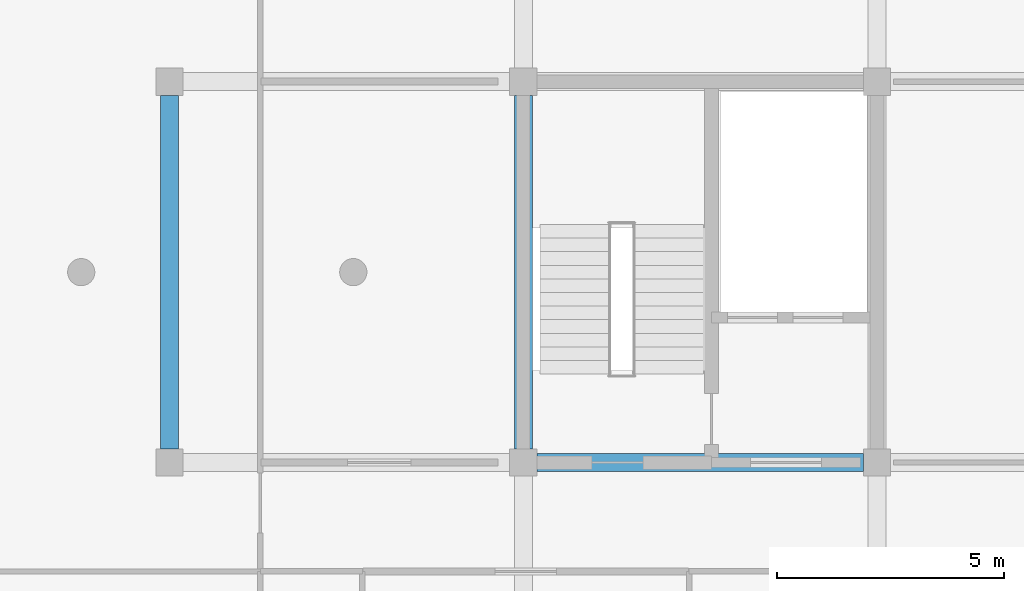
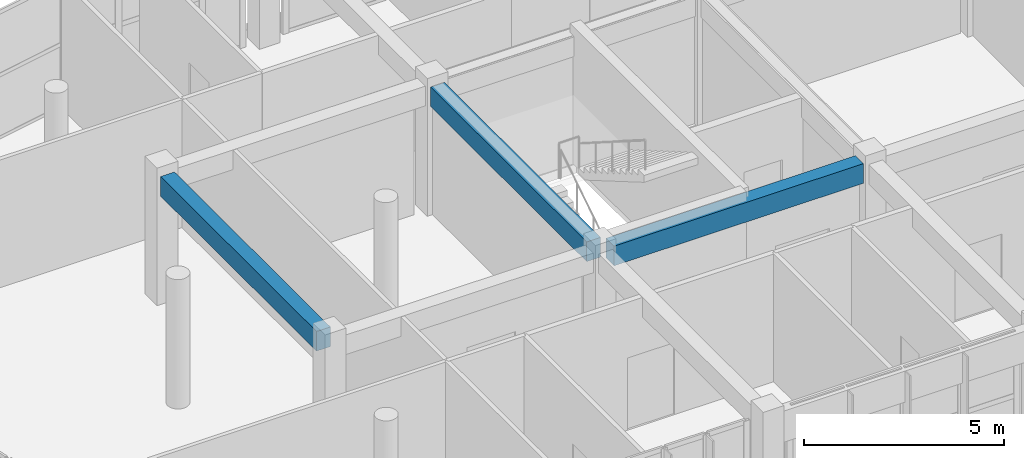
# One storey, part 6 of 50: 3 beams.
"""IFC4 building model written with IfcOpenShell, lengths in metres."""

from ifc_helpers import new_model, si_unit, direction, frame, origin, origin_2d, place, context, subcontext, project, spatial, rectangle, extrude, material, material_profile, profile_set, type_object, element, save


model = new_model("IFC4")

# Units and contexts
model_context = context("Model", 3, precision=1e-05, world=origin(), true_north=direction((0.0, 1.0)))
body_context = subcontext(model_context, "Body", "Model", "MODEL_VIEW")
ifc_project = project(units=[si_unit("LENGTHUNIT", "METRE"), si_unit("AREAUNIT", "SQUARE_METRE"), si_unit("VOLUMEUNIT", "CUBIC_METRE"), si_unit("PLANEANGLEUNIT", "RADIAN"), si_unit("MASSUNIT", "GRAM", prefix="KILO")], contexts=[model_context])

# Site, building, storey
site_placement = place(None, origin())
site = spatial("IfcSite", under=ifc_project, at=site_placement, CompositionType="ELEMENT")
building_placement = place(site_placement, origin())
building = spatial("IfcBuilding", under=site, at=building_placement, Name="Zizhar Promenade General Hospital", CompositionType="ELEMENT")
storey_placement = place(building_placement, frame((0.0, 0.0, 30.60009765625)))
storey = spatial("IfcBuildingStorey", under=building, at=storey_placement, Name="L07", CompositionType="ELEMENT", Elevation=30.60009765625)

# Beams
ifc_material = material(Name="Concrete C35/45", Category="concrete")
ifc_material_profile = material_profile(ifc_material, rectangle(XDim=0.39990234375, YDim=0.60009765625, at=origin_2d()))
ifc_profile_set = profile_set([ifc_material_profile], Name="Concrete C35/45")
beam_type = type_object("IfcBeamType", Name="BM-RC-400x600", PredefinedType="JOIST", material=ifc_profile_set)
beam_1_placement = place(storey_placement, frame((39.0, 8.699951171875, 3.60986328125), z_axis=(0.0, 1.0, 0.0), x_axis=(-1.0, 0.0, 0.0)))
element("IfcBeam", 1, at=beam_1_placement, inside=storey, type_object=beam_type, Name="Grid Beam Y L07 (5-1)", PredefinedType="JOIST", context=body_context, shape_type="SweptSolid", body=[
    extrude(rectangle(XDim=0.39990234375, YDim=0.60009765625, at=origin_2d()), origin(), (0.0, 0.0, 1.0), 7.800048828125),
])
beam_2_placement = place(storey_placement, frame((47.10009765625, 8.39990234375, 3.60986328125), z_axis=(1.0, 0.0, 0.0), x_axis=(0.0, 1.0, 0.0)))
element("IfcBeam", 2, at=beam_2_placement, inside=storey, type_object=beam_type, Name="Grid Beam X L07 (6-1)", PredefinedType="JOIST", context=body_context, shape_type="SweptSolid", body=[
    extrude(rectangle(XDim=0.39990234375, YDim=0.60009765625, at=origin_2d()), origin(), (0.0, 0.0, 1.0), 7.199951171875),
])
beam_3_placement = place(storey_placement, frame((46.800048828125, 8.699951171875, 3.60986328125), z_axis=(0.0, 1.0, 0.0), x_axis=(-1.0, 0.0, 0.0)))
element("IfcBeam", 3, at=beam_3_placement, inside=storey, type_object=beam_type, Name="Grid Beam Y L07 (6-1)", PredefinedType="JOIST", context=body_context, shape_type="SweptSolid", body=[
    extrude(rectangle(XDim=0.39990234375, YDim=0.60009765625, at=origin_2d()), origin(), (0.0, 0.0, 1.0), 7.800048828125),
])

save(model, "model.ifc")
